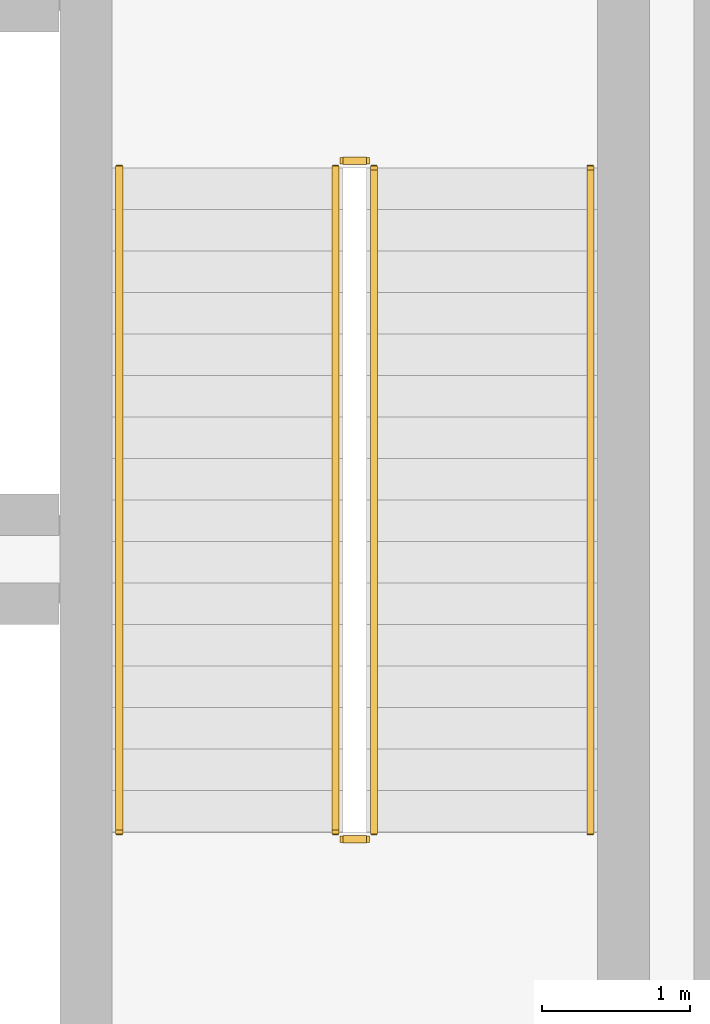
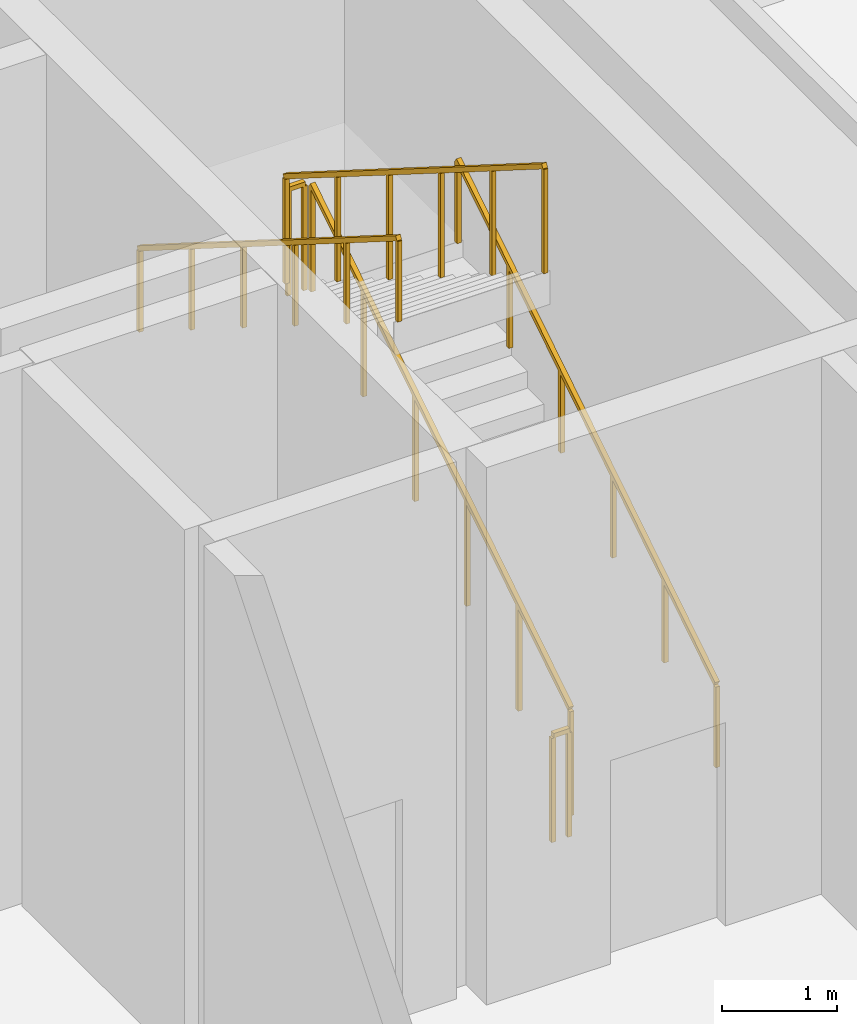
# One storey, part 25 of 25: 6 railings.
"""IFC4 building model written with IfcOpenShell, lengths in metres."""

from ifc_helpers import new_model, si_unit, direction, frame, origin, origin_2d, place, context, subcontext, project, spatial, rectangle, extrude, material, type_object, element, save


model = new_model("IFC4")

# Units and contexts
model_context = context("Model", 3, precision=1e-05, world=origin(), true_north=direction((0.0, 1.0)))
body_context = subcontext(model_context, "Body", "Model", "MODEL_VIEW")
ifc_project = project(units=[si_unit("LENGTHUNIT", "METRE"), si_unit("AREAUNIT", "SQUARE_METRE"), si_unit("VOLUMEUNIT", "CUBIC_METRE"), si_unit("PLANEANGLEUNIT", "RADIAN"), si_unit("MASSUNIT", "GRAM", prefix="KILO")], contexts=[model_context])

# Site, building, storey
site_placement = place(None, origin())
site = spatial("IfcSite", under=ifc_project, at=site_placement, CompositionType="ELEMENT")
building_placement = place(site_placement, origin())
building = spatial("IfcBuilding", under=site, at=building_placement, Name="Kaelvorn Grand Hotel", CompositionType="ELEMENT")
storey_placement = place(building_placement, frame((0.0, 0.0, 8.0)))
storey = spatial("IfcBuildingStorey", under=building, at=storey_placement, Name="L01", CompositionType="ELEMENT", Elevation=8.0)

# Railings
ifc_material = material(Name="Stainless Steel", Category="steel")
railing_type_1 = type_object("IfcRailingType", Name="RL-HANDRAIL-900", PredefinedType="HANDRAIL", material=ifc_material)
railing_1_placement = place(storey_placement, frame((66.550048828125, 41.760009765625, 0.176513671875)))
element("IfcRailing", 1, at=railing_1_placement, inside=storey, type_object=railing_type_1, Name="L01 ST3 stair handrail 1", PredefinedType="HANDRAIL", context=body_context, shape_type="SweptSolid", body=[
    extrude(rectangle(XDim=0.048095703125, YDim=0.048095703125, at=origin_2d()), frame((0.0, 0.0, 0.8759765625), z_axis=(0.0, 0.845997938375, 0.533186166611), x_axis=(-1.0, 0.0, 0.0)), (0.0, 0.0, 1.0), 5.29541015625),
    extrude(rectangle(XDim=0.0419921875, YDim=0.0419921875, at=origin_2d()), origin(), (0.0, 0.0, 1.0), 0.851806640625),
    extrude(rectangle(XDim=0.0419921875, YDim=0.0419921875, at=origin_2d()), frame((0.0, 0.89599609375, 0.564697265625)), (0.0, 0.0, 1.0), 0.851806640625),
    extrude(rectangle(XDim=0.0419921875, YDim=0.0419921875, at=origin_2d()), frame((0.0, 1.7919921875, 1.12939453125)), (0.0, 0.0, 1.0), 0.851806640625),
    extrude(rectangle(XDim=0.0419921875, YDim=0.0419921875, at=origin_2d()), frame((0.0, 2.68798828125, 1.694091796875)), (0.0, 0.0, 1.0), 0.851806640625),
    extrude(rectangle(XDim=0.0419921875, YDim=0.0419921875, at=origin_2d()), frame((0.0, 3.583984375, 2.2587890625)), (0.0, 0.0, 1.0), 0.851806640625),
    extrude(rectangle(XDim=0.0419921875, YDim=0.0419921875, at=origin_2d()), frame((0.0, 4.47998046875, 2.823486328125)), (0.0, 0.0, 1.0), 0.851806640625),
])
railing_2_placement = place(storey_placement, frame((63.3701171875, 46.239990234375, 3.176513671875)))
element("IfcRailing", 2, at=railing_2_placement, inside=storey, type_object=railing_type_1, Name="L01 ST3 stair handrail 2", PredefinedType="HANDRAIL", context=body_context, shape_type="SweptSolid", body=[
    extrude(rectangle(XDim=0.048095703125, YDim=0.048095703125, at=origin_2d()), frame((0.0, 0.0, 0.8759765625), z_axis=(0.0, -0.845997938375, 0.533186166611), x_axis=(1.0, 0.0, 0.0)), (0.0, 0.0, 1.0), 5.29541015625),
    extrude(rectangle(XDim=0.0419921875, YDim=0.0419921875, at=origin_2d()), origin(), (0.0, 0.0, 1.0), 0.851806640625),
    extrude(rectangle(XDim=0.0419921875, YDim=0.0419921875, at=origin_2d()), frame((0.0, -0.89599609375, 0.564697265625)), (0.0, 0.0, 1.0), 0.851806640625),
    extrude(rectangle(XDim=0.0419921875, YDim=0.0419921875, at=origin_2d()), frame((0.0, -1.7919921875, 1.12939453125)), (0.0, 0.0, 1.0), 0.851806640625),
    extrude(rectangle(XDim=0.0419921875, YDim=0.0419921875, at=origin_2d()), frame((0.0, -2.68798828125, 1.694091796875)), (0.0, 0.0, 1.0), 0.851806640625),
    extrude(rectangle(XDim=0.0419921875, YDim=0.0419921875, at=origin_2d()), frame((0.0, -3.583984375, 2.2587890625)), (0.0, 0.0, 1.0), 0.851806640625),
    extrude(rectangle(XDim=0.0419921875, YDim=0.0419921875, at=origin_2d()), frame((0.0, -4.47998046875, 2.823486328125)), (0.0, 0.0, 1.0), 0.851806640625),
])
railing_type_2 = type_object("IfcRailingType", Name="RL-STAIR-GUARD-1150", PredefinedType="BALUSTRADE", material=ifc_material)
railing_3_placement = place(storey_placement, frame((65.090087890625, 41.760009765625, 0.176513671875)))
element("IfcRailing", 3, at=railing_3_placement, inside=storey, type_object=railing_type_2, Name="L01 ST3 stair guard 1", PredefinedType="BALUSTRADE", context=body_context, shape_type="SweptSolid", body=[
    extrude(rectangle(XDim=0.048095703125, YDim=0.048095703125, at=origin_2d()), frame((0.0, 0.0, 1.1259765625), z_axis=(0.0, 0.845997938375, 0.533186166611), x_axis=(-1.0, 0.0, 0.0)), (0.0, 0.0, 1.0), 5.29541015625),
    extrude(rectangle(XDim=0.0419921875, YDim=0.0419921875, at=origin_2d()), origin(), (0.0, 0.0, 1.0), 1.101806640625),
    extrude(rectangle(XDim=0.0419921875, YDim=0.0419921875, at=origin_2d()), frame((0.0, 0.89599609375, 0.564697265625)), (0.0, 0.0, 1.0), 1.101806640625),
    extrude(rectangle(XDim=0.0419921875, YDim=0.0419921875, at=origin_2d()), frame((0.0, 1.7919921875, 1.12939453125)), (0.0, 0.0, 1.0), 1.101806640625),
    extrude(rectangle(XDim=0.0419921875, YDim=0.0419921875, at=origin_2d()), frame((0.0, 2.68798828125, 1.694091796875)), (0.0, 0.0, 1.0), 1.101806640625),
    extrude(rectangle(XDim=0.0419921875, YDim=0.0419921875, at=origin_2d()), frame((0.0, 3.583984375, 2.2587890625)), (0.0, 0.0, 1.0), 1.101806640625),
    extrude(rectangle(XDim=0.0419921875, YDim=0.0419921875, at=origin_2d()), frame((0.0, 4.47998046875, 2.823486328125)), (0.0, 0.0, 1.0), 1.101806640625),
])
railing_4_placement = place(storey_placement, frame((65.0400390625, 46.2900390625, 3.0)))
element("IfcRailing", 4, at=railing_4_placement, inside=storey, type_object=railing_type_2, Name="L01 ST3 stair guard 2", PredefinedType="BALUSTRADE", context=body_context, shape_type="SweptSolid", body=[
    extrude(rectangle(XDim=0.048095703125, YDim=0.048095703125, at=origin_2d()), frame((0.0, 0.0, 1.1259765625), z_axis=(-1.0, 0.0, 0.0), x_axis=(0.0, -1.0, 0.0)), (0.0, 0.0, 1.0), 0.16015625),
    extrude(rectangle(XDim=0.0419921875, YDim=0.0419921875, at=origin_2d()), origin(), (0.0, 0.0, 1.0), 1.101806640625),
    extrude(rectangle(XDim=0.0419921875, YDim=0.0419921875, at=origin_2d()), frame((-0.16015625, 0.0, 0.0)), (0.0, 0.0, 1.0), 1.101806640625),
])
railing_5_placement = place(storey_placement, frame((64.830078125, 46.239990234375, 3.176513671875)))
element("IfcRailing", 5, at=railing_5_placement, inside=storey, type_object=railing_type_2, Name="L01 ST3 stair guard 3", PredefinedType="BALUSTRADE", context=body_context, shape_type="SweptSolid", body=[
    extrude(rectangle(XDim=0.048095703125, YDim=0.048095703125, at=origin_2d()), frame((0.0, 0.0, 1.1259765625), z_axis=(0.0, -0.845997938375, 0.533186166611), x_axis=(1.0, 0.0, 0.0)), (0.0, 0.0, 1.0), 5.29541015625),
    extrude(rectangle(XDim=0.0419921875, YDim=0.0419921875, at=origin_2d()), origin(), (0.0, 0.0, 1.0), 1.101806640625),
    extrude(rectangle(XDim=0.0419921875, YDim=0.0419921875, at=origin_2d()), frame((0.0, -0.89599609375, 0.564697265625)), (0.0, 0.0, 1.0), 1.101806640625),
    extrude(rectangle(XDim=0.0419921875, YDim=0.0419921875, at=origin_2d()), frame((0.0, -1.7919921875, 1.12939453125)), (0.0, 0.0, 1.0), 1.101806640625),
    extrude(rectangle(XDim=0.0419921875, YDim=0.0419921875, at=origin_2d()), frame((0.0, -2.68798828125, 1.694091796875)), (0.0, 0.0, 1.0), 1.101806640625),
    extrude(rectangle(XDim=0.0419921875, YDim=0.0419921875, at=origin_2d()), frame((0.0, -3.583984375, 2.2587890625)), (0.0, 0.0, 1.0), 1.101806640625),
    extrude(rectangle(XDim=0.0419921875, YDim=0.0419921875, at=origin_2d()), frame((0.0, -4.47998046875, 2.823486328125)), (0.0, 0.0, 1.0), 1.101806640625),
])
railing_6_placement = place(storey_placement, frame((65.0400390625, 41.7099609375, 0.0)))
element("IfcRailing", 6, at=railing_6_placement, inside=storey, type_object=railing_type_2, Name="L01 ST3 stair guard 4", PredefinedType="BALUSTRADE", context=body_context, shape_type="SweptSolid", body=[
    extrude(rectangle(XDim=0.048095703125, YDim=0.048095703125, at=origin_2d()), frame((0.0, 0.0, 1.1259765625), z_axis=(-1.0, 0.0, 0.0), x_axis=(0.0, -1.0, 0.0)), (0.0, 0.0, 1.0), 0.16015625),
    extrude(rectangle(XDim=0.0419921875, YDim=0.0419921875, at=origin_2d()), origin(), (0.0, 0.0, 1.0), 1.101806640625),
    extrude(rectangle(XDim=0.0419921875, YDim=0.0419921875, at=origin_2d()), frame((-0.16015625, 0.0, 0.0)), (0.0, 0.0, 1.0), 1.101806640625),
])

save(model, "model.ifc")
